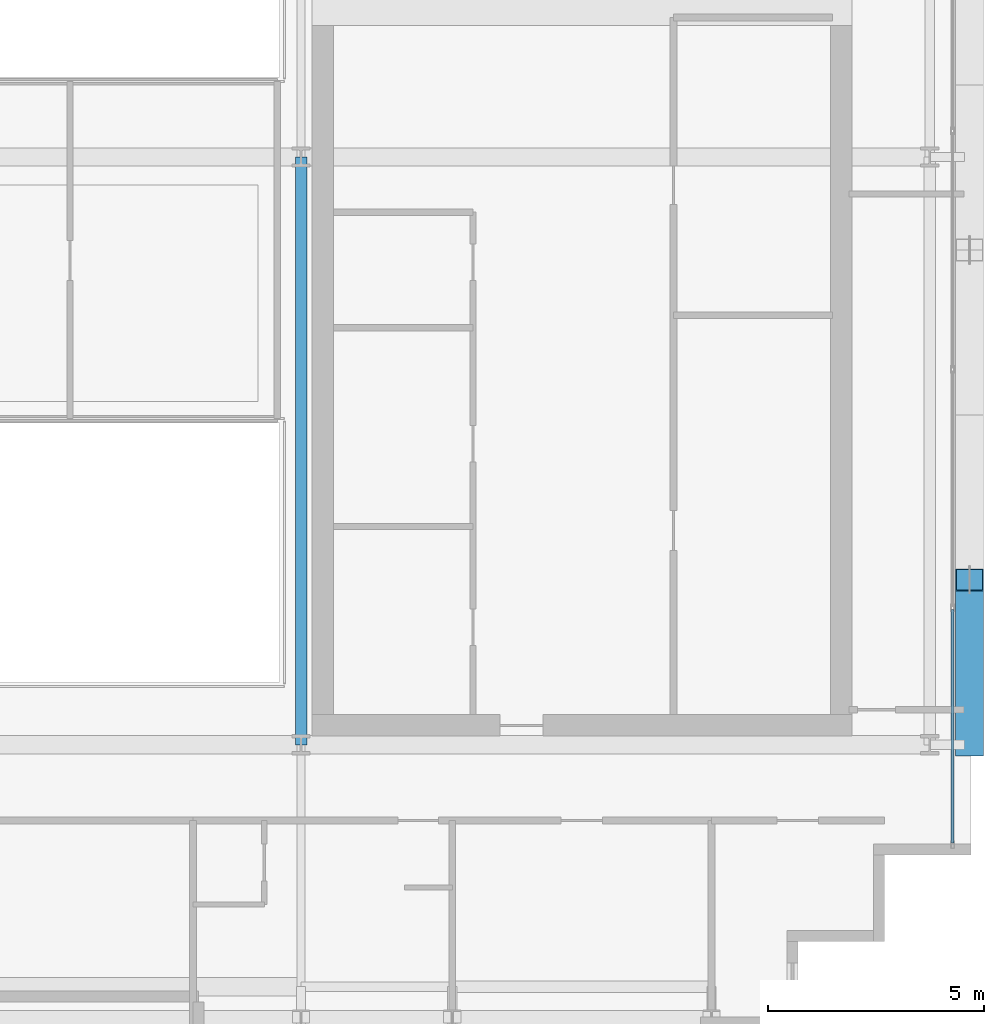
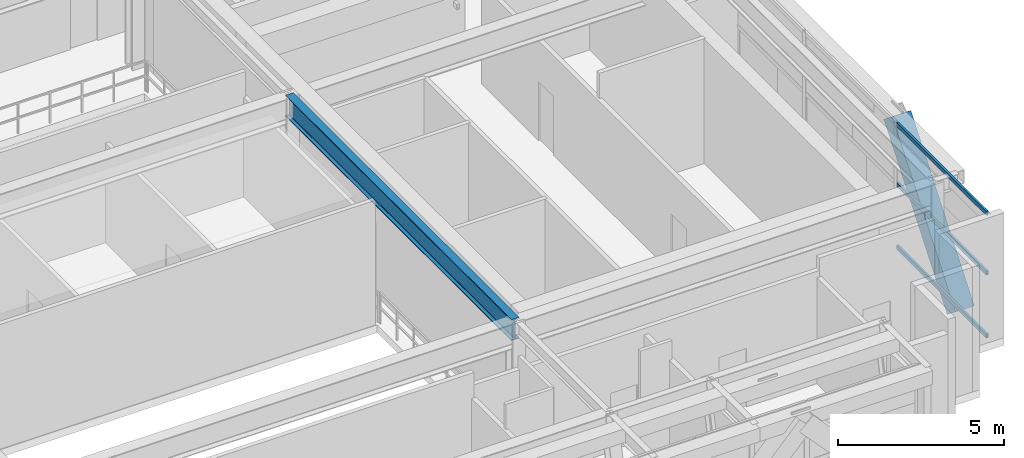
# One storey, part 10 of 31: 4 members, 1 beam, 1 element without a shape of its own.
"""IFC4 building model written with IfcOpenShell, lengths in metres."""

import ifcopenshell
import ifcopenshell.guid

model = None  # the IFC model being written
_history = None  # IfcOwnerHistory: only IFC2X3 demands one
_inside = {}  # id of a spatial element -> (the spatial element, [elements in it])
_under = {}  # id of a project, library or spatial element -> (it, [spatial elements below it])
_declared = {}  # id of a project -> (the project, [libraries it declares])
_typed = {}  # id of a type object -> (the type object, [elements of that type])
_made_of = {}  # id of a material, layer set ... -> (it, [elements and type objects made of it])


def new_model(schema):
    """Start an empty IFC model of exactly this schema.

    Asked for "IFC4X3", IfcOpenShell would pick the latest addendum, in which some entities
    have other attributes; the version numbers below select the first issue.
    IFC2X3 requires an IfcOwnerHistory on every rooted entity: one is made here for all.
    """
    global model, _history
    if schema == "IFC4X3":
        model = ifcopenshell.file(schema_version=(4, 3, 0, 0))
    else:
        model = ifcopenshell.file(schema=schema)
    _inside.clear()
    _under.clear()
    _declared.clear()
    _typed.clear()
    _made_of.clear()
    _history = None
    if model.schema == "IFC2X3":
        org = make("IfcOrganization", Name="unknown")
        user = make(
            "IfcPersonAndOrganization",
            ThePerson=make("IfcPerson", FamilyName="unknown"),
            TheOrganization=org,
        )
        app = make(
            "IfcApplication",
            ApplicationDeveloper=org,
            Version="unknown",
            ApplicationFullName="unknown",
            ApplicationIdentifier="unknown",
        )
        _history = make(
            "IfcOwnerHistory",
            OwningUser=user,
            OwningApplication=app,
            ChangeAction="ADDED",
            CreationDate=0,
        )
    return model


def make(cls, **values):
    """One entity of the class cls with the attributes given. An attribute that is None is left unset."""
    return model.create_entity(
        cls, **{name: value for name, value in values.items() if value is not None}
    )


def rooted(cls, **values):
    """An entity with a GlobalId (a new one), such as an element, a storey or a relation."""
    return make(cls, GlobalId=ifcopenshell.guid.new(), OwnerHistory=_history, **values)


def si_unit(unit_type, name, prefix=None):
    """IfcSIUnit, for example si_unit("LENGTHUNIT", "METRE", prefix="MILLI")."""
    return make("IfcSIUnit", UnitType=unit_type, Prefix=prefix, Name=name)


def assignment(units):
    """IfcUnitAssignment: the units of a project."""
    return None if units is None else make("IfcUnitAssignment", Units=units)


def point(xyz):
    """IfcCartesianPoint."""
    return None if xyz is None else make("IfcCartesianPoint", Coordinates=xyz)


def direction(xyz):
    """IfcDirection."""
    return None if xyz is None else make("IfcDirection", DirectionRatios=xyz)


def frame(location, z_axis=None, x_axis=None):
    """IfcAxis2Placement3D, a coordinate frame: its origin and axes. An axis left out is left unset."""
    return make(
        "IfcAxis2Placement3D",
        Location=point(location),
        Axis=direction(z_axis),
        RefDirection=direction(x_axis),
    )


def frame_2d(location, x_axis=None):
    """IfcAxis2Placement2D, a coordinate frame in the plane: its origin and x axis."""
    return make(
        "IfcAxis2Placement2D", Location=point(location), RefDirection=direction(x_axis)
    )


def origin():
    """The frame at (0, 0, 0) with its axes left unset."""
    return frame((0.0, 0.0, 0.0))


def origin_2d():
    """The frame at (0, 0) in the plane with its x axis left unset."""
    return frame_2d((0.0, 0.0))


def place(relative_to, where):
    """IfcLocalPlacement: puts the frame where relative to a parent placement (None: the world)."""
    return make(
        "IfcLocalPlacement", PlacementRelTo=relative_to, RelativePlacement=where
    )


def context(
    kind, dimensions, precision=None, world=None, true_north=None, identifier=None
):
    """IfcGeometricRepresentationContext, for example the 3D "Model" context."""
    return make(
        "IfcGeometricRepresentationContext",
        ContextIdentifier=identifier,
        ContextType=kind,
        CoordinateSpaceDimension=dimensions,
        Precision=precision,
        WorldCoordinateSystem=world,
        TrueNorth=true_north,
    )


def subcontext(parent, identifier, kind, view, scale=None):
    """IfcGeometricRepresentationSubContext, for example "Body" below "Model"."""
    return make(
        "IfcGeometricRepresentationSubContext",
        ContextIdentifier=identifier,
        ContextType=kind,
        ParentContext=parent,
        TargetScale=scale,
        TargetView=view,
    )


def project(units=None, contexts=None):
    """IfcProject with its units and contexts."""
    return rooted(
        "IfcProject",
        Name="project",
        RepresentationContexts=contexts,
        UnitsInContext=assignment(units),
    )


def spatial(cls, under=None, at=None, **own):
    """A site, building, storey or space (cls), placed at a placement, below another one or the project."""
    s = rooted(cls, ObjectPlacement=at, **own)
    if under is not None:
        _under.setdefault(under.id(), (under, []))[1].append(s)
    return s


def profile(cls, at=None, kind="AREA", **sizes):
    """A parametric profile (cls). Its sizes go by their IFC names, for example OverallWidth=200.0."""
    return make(cls, ProfileType=kind, Position=at, **sizes)


def hollow_rectangle(**sizes):
    """IfcRectangleHollowProfileDef."""
    return profile("IfcRectangleHollowProfileDef", **sizes)


def i_section(**sizes):
    """IfcIShapeProfileDef."""
    return profile("IfcIShapeProfileDef", **sizes)


def extrude(swept, where, along, depth):
    """IfcExtrudedAreaSolid: the profile swept, set in the frame where, extruded along a direction by depth."""
    return make(
        "IfcExtrudedAreaSolid",
        SweptArea=swept,
        Position=where,
        ExtrudedDirection=direction(along),
        Depth=depth,
    )


def shape(context_of_items, identifier, shape_type, items):
    """IfcShapeRepresentation: the items that make up one representation, for example the "Body"."""
    return make(
        "IfcShapeRepresentation",
        ContextOfItems=context_of_items,
        RepresentationIdentifier=identifier,
        RepresentationType=shape_type,
        Items=items,
    )


def source(mapping_origin, context_of_items, identifier, shape_type, items):
    """IfcRepresentationMap: a shape defined once, which mapped items show again and again."""
    return make(
        "IfcRepresentationMap",
        MappingOrigin=mapping_origin,
        MappedRepresentation=shape(context_of_items, identifier, shape_type, items),
    )


def transform(
    local_origin,
    x_axis=None,
    y_axis=None,
    z_axis=None,
    scale=None,
    scale2=None,
    scale3=None,
    uniform=True,
):
    """IfcCartesianTransformationOperator3D, or its non-uniform kind. x_axis, y_axis, z_axis: its Axis1, 2, 3."""
    if uniform:
        return make(
            "IfcCartesianTransformationOperator3D",
            Axis1=direction(x_axis),
            Axis2=direction(y_axis),
            LocalOrigin=point(local_origin),
            Scale=scale,
            Axis3=direction(z_axis),
        )
    return make(
        "IfcCartesianTransformationOperator3DnonUniform",
        Axis1=direction(x_axis),
        Axis2=direction(y_axis),
        LocalOrigin=point(local_origin),
        Scale=scale,
        Axis3=direction(z_axis),
        Scale2=scale2,
        Scale3=scale3,
    )


def mapped(mapping_source, mapping_target):
    """IfcMappedItem: shows the shape of a source again, moved by a transform."""
    return make(
        "IfcMappedItem", MappingSource=mapping_source, MappingTarget=mapping_target
    )


def material(Name=None, Category=None):
    """IfcMaterial."""
    return make("IfcMaterial", Name=Name, Category=Category)


def layer(
    of_material, thickness, ventilated=None, Name=None, Category=None, Priority=None
):
    """IfcMaterialLayer: one layer of a wall or slab, of a material (None: an air gap)."""
    return make(
        "IfcMaterialLayer",
        Material=of_material,
        LayerThickness=thickness,
        IsVentilated=ventilated,
        Name=Name,
        Category=Category,
        Priority=Priority,
    )


def layer_set(layers, Name=None):
    """IfcMaterialLayerSet."""
    return make("IfcMaterialLayerSet", MaterialLayers=layers, LayerSetName=Name)


def material_profile(
    of_material, cross_section, Name=None, Category=None, Priority=None
):
    """IfcMaterialProfile: a cross section and its material."""
    return make(
        "IfcMaterialProfile",
        Name=Name,
        Material=of_material,
        Profile=cross_section,
        Priority=Priority,
        Category=Category,
    )


def profile_set(profiles, Name=None, composite=None):
    """IfcMaterialProfileSet."""
    return make(
        "IfcMaterialProfileSet",
        Name=Name,
        MaterialProfiles=profiles,
        CompositeProfile=composite,
    )


def made_of(thing, what):
    """Note that an element or type object is made of a material, layer set ...; save() writes the relation."""
    if what is not None:
        _made_of.setdefault(what.id(), (what, []))[1].append(thing)
    return thing


def type_object(cls, material=None, **own):
    """A type object (cls), such as IfcWallType, which elements share."""
    return made_of(rooted(cls, **own), material)


def element(
    cls,
    number,
    at=None,
    inside=None,
    cuts=None,
    type_object=None,
    material=None,
    context=None,
    identifier="Body",
    shape_type=None,
    held_by="IfcProductDefinitionShape",
    body=None,
    shapes=None,
    **own,
):
    """One element of the class cls, such as IfcWall. Its Tag is "e" and its number.

    at: its placement. inside: the storey or other place that contains it. cuts: it is an
    opening in that element (IfcRelVoidsElement). A single representation is given by context,
    identifier, shape_type and body (its items); several are given by shapes. held_by: the class
    of the entity that holds the representations. save() writes the other relations.
    """
    e = rooted(cls, Tag="e%d" % number, ObjectPlacement=at, **own)
    if body is not None:
        shapes = [shape(context, identifier, shape_type, body)]
    if shapes is not None:
        e.Representation = make(held_by, Representations=shapes)
    if inside is not None:
        _inside.setdefault(inside.id(), (inside, []))[1].append(e)
    if cuts is not None:
        rooted(
            "IfcRelVoidsElement", RelatingBuildingElement=cuts, RelatedOpeningElement=e
        )
    if type_object is not None:
        _typed.setdefault(type_object.id(), (type_object, []))[1].append(e)
    return made_of(e, material)


def aggregate(whole, parts):
    """IfcRelAggregates: a whole, such as a stair, and the parts it consists of."""
    return rooted("IfcRelAggregates", RelatingObject=whole, RelatedObjects=parts)


def save(model, path):
    """Write the relations noted so far, then the file.

    IfcRelAggregates (storeys below a building ...), IfcRelContainedInSpatialStructure (elements
    in a storey), IfcRelDefinesByType, IfcRelAssociatesMaterial and IfcRelDeclares: one each for
    every whole, place, type object, material and project.
    """
    for whole, parts in _under.values():
        aggregate(whole, parts)
    for where, things in _inside.values():
        rooted(
            "IfcRelContainedInSpatialStructure",
            RelatedElements=things,
            RelatingStructure=where,
        )
    for kind, things in _typed.values():
        rooted("IfcRelDefinesByType", RelatedObjects=things, RelatingType=kind)
    for what, things in _made_of.values():
        rooted("IfcRelAssociatesMaterial", RelatedObjects=things, RelatingMaterial=what)
    for by, libraries in _declared.values():
        rooted("IfcRelDeclares", RelatingContext=by, RelatedDefinitions=libraries)
    model.write(path)


model = new_model("IFC4")

# Units and contexts
model_context = context("Model", 3, precision=1e-05, world=origin(), true_north=direction((0.0, 1.0)))
body_context = subcontext(model_context, "Body", "Model", "MODEL_VIEW")
ifc_project = project(units=[si_unit("LENGTHUNIT", "METRE"), si_unit("AREAUNIT", "SQUARE_METRE"), si_unit("VOLUMEUNIT", "CUBIC_METRE"), si_unit("PLANEANGLEUNIT", "RADIAN"), si_unit("MASSUNIT", "GRAM", prefix="KILO")], contexts=[model_context])

# Site, building, storey
site_placement = place(None, origin())
site = spatial("IfcSite", under=ifc_project, at=site_placement, CompositionType="ELEMENT")
building_placement = place(site_placement, origin())
building = spatial("IfcBuilding", under=site, at=building_placement, Name="Ocotamira Hotel", CompositionType="ELEMENT")
storey_placement = place(building_placement, frame((0.0, 0.0, 228.0)))
storey = spatial("IfcBuildingStorey", under=building, at=storey_placement, Name="L57", CompositionType="ELEMENT", Elevation=228.0)

# Beam
ifc_material_1 = material(Name="Steel ASTM A992 Grade 50", Category="steel")
ifc_material_profile_1 = material_profile(ifc_material_1, i_section(OverallWidth=0.26611328125, OverallDepth=0.779052734375, WebThickness=0.0166015625, FlangeThickness=0.030029296875, FilletRadius=0.01806640625, at=origin_2d()), Name="W30X148")
ifc_profile_set_1 = profile_set([ifc_material_profile_1], Name="Steel ASTM A992 Grade 50")
beam_type = type_object("IfcBeamType", Name="BM-GIRD-W30X148", PredefinedType="BEAM", material=ifc_profile_set_1)
shared_shape_1 = source(origin(), body_context, "Body", "SweptSolid", [
    extrude(i_section(OverallWidth=0.26611328125, OverallDepth=0.779052734375, WebThickness=0.0166015625, FlangeThickness=0.030029296875, FilletRadius=0.01806640625, at=origin_2d()), origin(), (0.0, 0.0, 1.0), 13.599853515625),
])
beam_placement = place(storey_placement, frame((40.5, 14.550048828125, 4.1904296875), z_axis=(0.0, 1.0, 0.0), x_axis=(-1.0, 0.0, 0.0)))
element("IfcBeam", 1, at=beam_placement, inside=storey, type_object=beam_type, Name="L57 Beam X40.5 Y14.55-28.15", PredefinedType="BEAM", context=body_context, shape_type="MappedRepresentation", body=[
    mapped(shared_shape_1, transform((0.0, 0.0, 0.0), scale=1.0)),
])

# Member
ifc_material_2 = material(Name="Pale-metal coated steel ASTM A913 Grade 65", Category="steel")
ifc_material_profile_2 = material_profile(ifc_material_2, hollow_rectangle(XDim=0.64990234375, YDim=0.64990234375, WallThickness=0.02197265625, at=origin_2d()), Name="BOX650X650X22")
ifc_profile_set_2 = profile_set([ifc_material_profile_2], Name="Pale-metal coated steel ASTM A913 Grade 65")
member_type_1 = type_object("IfcMemberType", Name="MEM-EXO-BOX650", PredefinedType="BRACE", material=ifc_profile_set_2)
shared_shape_2 = source(origin(), body_context, "Body", "SweptSolid", [
    extrude(hollow_rectangle(XDim=0.64990234375, YDim=0.64990234375, WallThickness=0.02197265625, at=origin_2d()), origin(), (0.0, 0.0, 1.0), 6.1796875),
])
member_1_placement = place(storey_placement, frame((55.969970703125, 14.550048828125, -0.530029296875), z_axis=(0.0, 0.61762087854, 0.786475969366), x_axis=(-1.0, 0.0, 0.0)))
element("IfcMember", 2, at=member_1_placement, inside=storey, type_object=member_type_1, Name="L57 Exoskeleton Diagrid E0.1", PredefinedType="BRACE", context=body_context, shape_type="MappedRepresentation", body=[
    mapped(shared_shape_2, transform((0.0, 0.0, 0.0), scale=1.0)),
])

# Curtain wall, members
ifc_material_3 = material(Name="Anodised pale-metal aluminium and solar glass", Category="aluminium")
ifc_layer = layer(ifc_material_3, 0.239990234375)
ifc_layer_set = layer_set([ifc_layer], Name="Anodised pale-metal aluminium and solar glass")
curtain_wall_type = type_object("IfcCurtainWallType", Name="CW-SYS5-SKY", PredefinedType="NOTDEFINED", material=ifc_layer_set)
curtain_wall_placement = place(storey_placement, origin())
curtain_wall = element("IfcCurtainWall", 3, at=curtain_wall_placement, inside=storey, type_object=curtain_wall_type, Name="L57 Curtain Wall CW-5 CW-L57-E", PredefinedType="NOTDEFINED")
ifc_material_4 = material(Name="Anodised pale-metal aluminium 6063-T6", Category="aluminium")
ifc_material_profile_3 = material_profile(ifc_material_4, hollow_rectangle(XDim=0.074951171875, YDim=0.14990234375, WallThickness=0.006103515625, at=origin_2d()), Name="HSS150X75X6")
ifc_profile_set_3 = profile_set([ifc_material_profile_3], Name="Anodised pale-metal aluminium 6063-T6")
member_type_2 = type_object("IfcMemberType", Name="CWT-150X75", PredefinedType="USERDEFINED", material=ifc_profile_set_3)
shared_shape_3 = source(origin(), body_context, "Body", "SweptSolid", [
    extrude(hollow_rectangle(XDim=0.074951171875, YDim=0.14990234375, WallThickness=0.006103515625, at=origin_2d()), origin(), (0.0, 0.0, 1.0), 5.39990234375),
])
member_2_placement = place(storey_placement, frame((55.580078125, 12.280029296875, 0.03759765625), z_axis=(0.0, 1.0, 0.0), x_axis=(-1.0, 0.0, 0.0)))
member_2 = element("IfcMember", 4, at=member_2_placement, type_object=member_type_2, Name="CW-5 transom 1.1", ObjectType="TRANSOM", PredefinedType="USERDEFINED", context=body_context, shape_type="MappedRepresentation", body=[
    mapped(shared_shape_3, transform((0.0, 0.0, 0.0), scale=1.0)),
])
member_3_placement = place(storey_placement, frame((55.580078125, 12.280029296875, 2.35009765625), z_axis=(0.0, 1.0, 0.0), x_axis=(-1.0, 0.0, 0.0)))
member_3 = element("IfcMember", 5, at=member_3_placement, type_object=member_type_2, Name="CW-5 transom 1.2", ObjectType="TRANSOM", PredefinedType="USERDEFINED", context=body_context, shape_type="MappedRepresentation", body=[
    mapped(shared_shape_3, transform((0.0, 0.0, 0.0), scale=1.0)),
])
member_4_placement = place(storey_placement, frame((55.580078125, 12.280029296875, 4.54248046875), z_axis=(0.0, 1.0, 0.0), x_axis=(-1.0, 0.0, 0.0)))
member_4 = element("IfcMember", 6, at=member_4_placement, type_object=member_type_2, Name="CW-5 transom 1.3", ObjectType="TRANSOM", PredefinedType="USERDEFINED", context=body_context, shape_type="MappedRepresentation", body=[
    mapped(shared_shape_3, transform((0.0, 0.0, 0.0), scale=1.0)),
])
aggregate(curtain_wall, [member_2, member_3, member_4])

save(model, "model.ifc")
